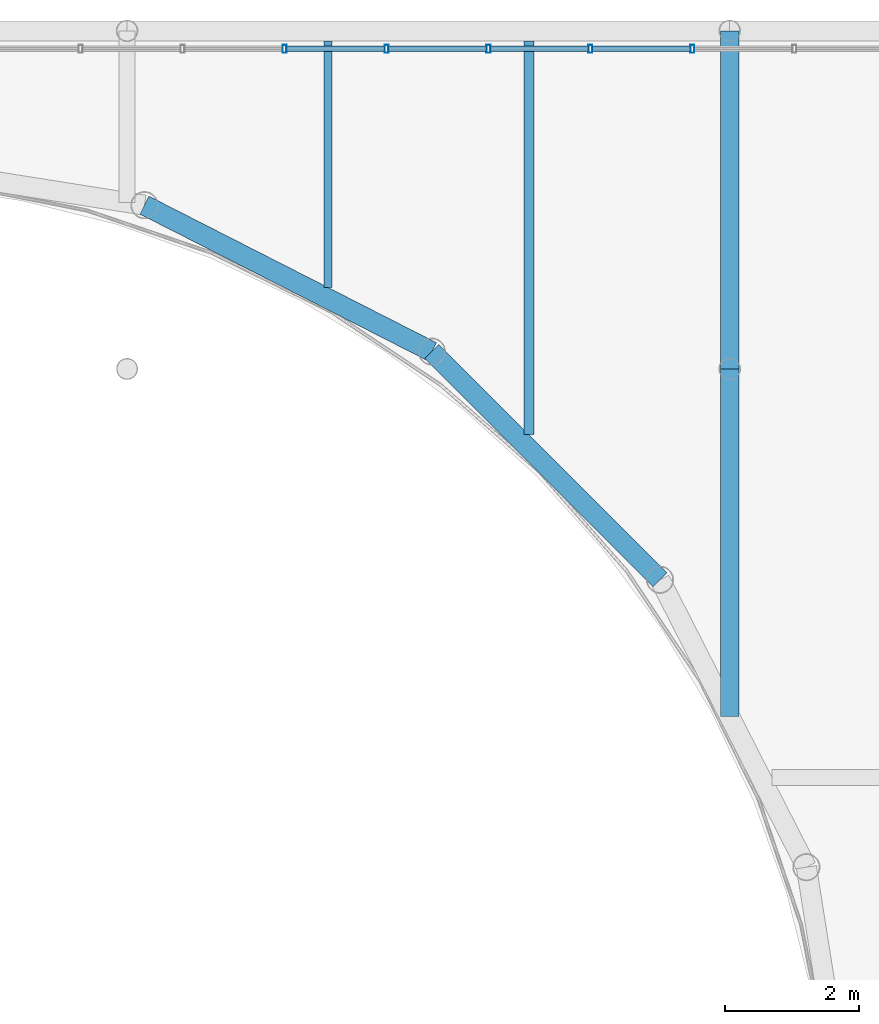
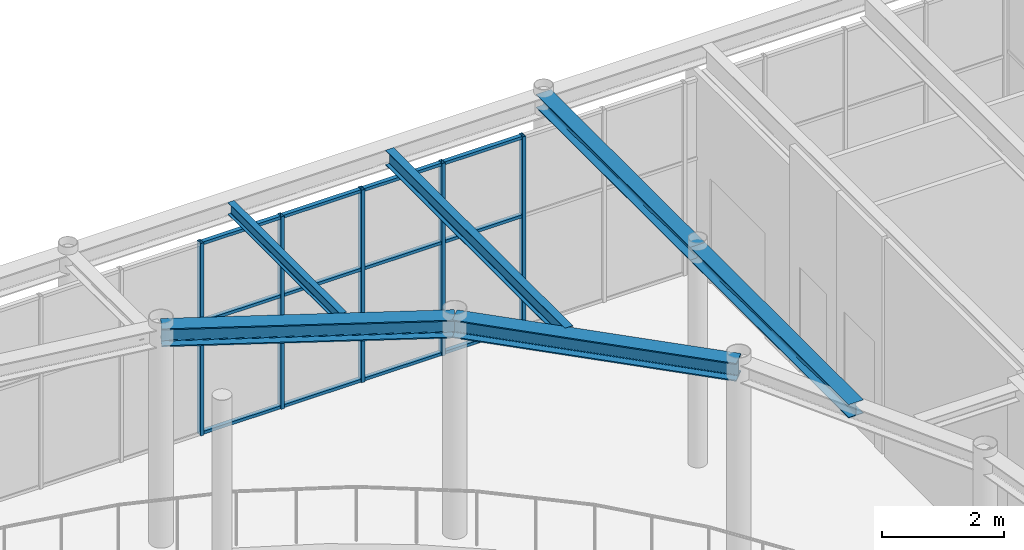
# One storey, part 40 of 70: 17 members, 6 beams, 1 element without a shape of its own.
"""IFC4 building model written with IfcOpenShell, lengths in metres."""

from ifc_helpers import new_model, si_unit, direction, frame, origin, origin_2d, place, context, subcontext, project, spatial, hollow_rectangle, i_section, extrude, material, layer, layer_set, material_profile, profile_set, type_object, element, aggregate, save


model = new_model("IFC4")

# Units and contexts
model_context = context("Model", 3, precision=1e-05, world=origin(), true_north=direction((0.0, 1.0)))
body_context = subcontext(model_context, "Body", "Model", "MODEL_VIEW")
ifc_project = project(units=[si_unit("LENGTHUNIT", "METRE"), si_unit("AREAUNIT", "SQUARE_METRE"), si_unit("VOLUMEUNIT", "CUBIC_METRE"), si_unit("PLANEANGLEUNIT", "RADIAN"), si_unit("MASSUNIT", "GRAM", prefix="KILO")], contexts=[model_context])

# Site, building, storey
site_placement = place(None, origin())
site = spatial("IfcSite", under=ifc_project, at=site_placement, CompositionType="ELEMENT")
building_placement = place(site_placement, origin())
building = spatial("IfcBuilding", under=site, at=building_placement, Name="Kallimachos Central Library", CompositionType="ELEMENT")
storey_placement = place(building_placement, frame((0.0, 0.0, 18.89990234375)))
storey = spatial("IfcBuildingStorey", under=building, at=storey_placement, Name="L04", CompositionType="ELEMENT", Elevation=18.89990234375)

# Curtain wall, members
ifc_material_1 = material(Name="Anodised aluminium and laminated glass", Category="aluminium")
ifc_layer = layer(ifc_material_1, 0.159912109375)
ifc_layer_set = layer_set([ifc_layer], Name="Glass box curtain wall")
curtain_wall_type = type_object("IfcCurtainWallType", Name="Glass box curtain wall", PredefinedType="NOTDEFINED", material=ifc_layer_set)
curtain_wall_placement = place(storey_placement, origin())
curtain_wall = element("IfcCurtainWall", 1, at=curtain_wall_placement, inside=storey, type_object=curtain_wall_type, Name="Glass box curtain wall N L04", PredefinedType="NOTDEFINED")
ifc_material_2 = material(Name="Anodised aluminium", Category="aluminium")
ifc_material_profile_1 = material_profile(ifc_material_2, hollow_rectangle(XDim=0.06005859375, YDim=0.1201171875, WallThickness=0.00390625, at=origin_2d()), Name="ALU MULLION 60x120")
ifc_profile_set_1 = profile_set([ifc_material_profile_1], Name="Anodised aluminium")
member_type_1 = type_object("IfcMemberType", Name="Glass box mullion 60x120", PredefinedType="MULLION", material=ifc_profile_set_1)
member_1_placement = place(storey_placement, frame((94.852294921875, 121.3798828125, 0.0), z_axis=(0.0, 0.0, 1.0), x_axis=(1.0, 0.0, 0.0)))
member_1 = element("IfcMember", 2, at=member_1_placement, type_object=member_type_1, Name="CW34 mullion 20", PredefinedType="MULLION", context=body_context, shape_type="SweptSolid", body=[
    extrude(hollow_rectangle(XDim=0.06005859375, YDim=0.1201171875, WallThickness=0.00390625, at=origin_2d()), origin(), (0.0, 0.0, 1.0), 3.85009765625),
])
member_2_placement = place(storey_placement, frame((96.375244140625, 121.3798828125, 0.0), z_axis=(0.0, 0.0, 1.0), x_axis=(1.0, 0.0, 0.0)))
member_2 = element("IfcMember", 3, at=member_2_placement, type_object=member_type_1, Name="CW34 mullion 21", PredefinedType="MULLION", context=body_context, shape_type="SweptSolid", body=[
    extrude(hollow_rectangle(XDim=0.06005859375, YDim=0.1201171875, WallThickness=0.00390625, at=origin_2d()), origin(), (0.0, 0.0, 1.0), 3.85009765625),
])
member_3_placement = place(storey_placement, frame((97.89794921875, 121.3798828125, 0.0), z_axis=(0.0, 0.0, 1.0), x_axis=(1.0, 0.0, 0.0)))
member_3 = element("IfcMember", 4, at=member_3_placement, type_object=member_type_1, Name="CW34 mullion 22", PredefinedType="MULLION", context=body_context, shape_type="SweptSolid", body=[
    extrude(hollow_rectangle(XDim=0.06005859375, YDim=0.1201171875, WallThickness=0.00390625, at=origin_2d()), origin(), (0.0, 0.0, 1.0), 3.85009765625),
])
member_4_placement = place(storey_placement, frame((99.420654296875, 121.3798828125, 0.0), z_axis=(0.0, 0.0, 1.0), x_axis=(1.0, 0.0, 0.0)))
member_4 = element("IfcMember", 5, at=member_4_placement, type_object=member_type_1, Name="CW34 mullion 23", PredefinedType="MULLION", context=body_context, shape_type="SweptSolid", body=[
    extrude(hollow_rectangle(XDim=0.06005859375, YDim=0.1201171875, WallThickness=0.00390625, at=origin_2d()), origin(), (0.0, 0.0, 1.0), 3.85009765625),
])
member_5_placement = place(storey_placement, frame((100.943359375, 121.3798828125, 0.0), z_axis=(0.0, 0.0, 1.0), x_axis=(1.0, 0.0, 0.0)))
member_5 = element("IfcMember", 6, at=member_5_placement, type_object=member_type_1, Name="CW34 mullion 24", PredefinedType="MULLION", context=body_context, shape_type="SweptSolid", body=[
    extrude(hollow_rectangle(XDim=0.06005859375, YDim=0.1201171875, WallThickness=0.00390625, at=origin_2d()), origin(), (0.0, 0.0, 1.0), 3.85009765625),
])
ifc_material_3 = material(Name="Anodised aluminium", Category="aluminium")
ifc_material_profile_2 = material_profile(ifc_material_3, hollow_rectangle(XDim=0.06005859375, YDim=0.080078125, WallThickness=0.00390625, at=origin_2d()), Name="ALU TRANSOM 60x80")
ifc_profile_set_2 = profile_set([ifc_material_profile_2], Name="Anodised aluminium")
member_type_2 = type_object("IfcMemberType", Name="Glass box transom 60x80", PredefinedType="USERDEFINED", material=ifc_profile_set_2)
member_6_placement = place(storey_placement, frame((94.88232421875, 121.3798828125, 0.030029296875), z_axis=(1.0, 0.0, 0.0), x_axis=(0.0, 0.0, 1.0)))
member_6 = element("IfcMember", 7, at=member_6_placement, type_object=member_type_2, Name="CW34 transom 20.1", ObjectType="TRANSOM", PredefinedType="USERDEFINED", context=body_context, shape_type="SweptSolid", body=[
    extrude(hollow_rectangle(XDim=0.06005859375, YDim=0.080078125, WallThickness=0.00390625, at=origin_2d()), origin(), (0.0, 0.0, 1.0), 1.462890625),
])
member_7_placement = place(storey_placement, frame((94.88232421875, 121.3798828125, 2.25), z_axis=(1.0, 0.0, 0.0), x_axis=(0.0, 0.0, 1.0)))
member_7 = element("IfcMember", 8, at=member_7_placement, type_object=member_type_2, Name="CW34 transom 20.2", ObjectType="TRANSOM", PredefinedType="USERDEFINED", context=body_context, shape_type="SweptSolid", body=[
    extrude(hollow_rectangle(XDim=0.06005859375, YDim=0.080078125, WallThickness=0.00390625, at=origin_2d()), origin(), (0.0, 0.0, 1.0), 1.462890625),
])
member_8_placement = place(storey_placement, frame((94.88232421875, 121.3798828125, 3.820068359375), z_axis=(1.0, 0.0, 0.0), x_axis=(0.0, 0.0, 1.0)))
member_8 = element("IfcMember", 9, at=member_8_placement, type_object=member_type_2, Name="CW34 transom 20.3", ObjectType="TRANSOM", PredefinedType="USERDEFINED", context=body_context, shape_type="SweptSolid", body=[
    extrude(hollow_rectangle(XDim=0.06005859375, YDim=0.080078125, WallThickness=0.00390625, at=origin_2d()), origin(), (0.0, 0.0, 1.0), 1.462890625),
])
member_9_placement = place(storey_placement, frame((96.4052734375, 121.3798828125, 0.030029296875), z_axis=(1.0, 0.0, 0.0), x_axis=(0.0, 0.0, 1.0)))
member_9 = element("IfcMember", 10, at=member_9_placement, type_object=member_type_2, Name="CW34 transom 21.1", ObjectType="TRANSOM", PredefinedType="USERDEFINED", context=body_context, shape_type="SweptSolid", body=[
    extrude(hollow_rectangle(XDim=0.06005859375, YDim=0.080078125, WallThickness=0.00390625, at=origin_2d()), origin(), (0.0, 0.0, 1.0), 1.462646484375),
])
member_10_placement = place(storey_placement, frame((96.4052734375, 121.3798828125, 2.25), z_axis=(1.0, 0.0, 0.0), x_axis=(0.0, 0.0, 1.0)))
member_10 = element("IfcMember", 11, at=member_10_placement, type_object=member_type_2, Name="CW34 transom 21.2", ObjectType="TRANSOM", PredefinedType="USERDEFINED", context=body_context, shape_type="SweptSolid", body=[
    extrude(hollow_rectangle(XDim=0.06005859375, YDim=0.080078125, WallThickness=0.00390625, at=origin_2d()), origin(), (0.0, 0.0, 1.0), 1.462646484375),
])
member_11_placement = place(storey_placement, frame((96.4052734375, 121.3798828125, 3.820068359375), z_axis=(1.0, 0.0, 0.0), x_axis=(0.0, 0.0, 1.0)))
member_11 = element("IfcMember", 12, at=member_11_placement, type_object=member_type_2, Name="CW34 transom 21.3", ObjectType="TRANSOM", PredefinedType="USERDEFINED", context=body_context, shape_type="SweptSolid", body=[
    extrude(hollow_rectangle(XDim=0.06005859375, YDim=0.080078125, WallThickness=0.00390625, at=origin_2d()), origin(), (0.0, 0.0, 1.0), 1.462646484375),
])
member_12_placement = place(storey_placement, frame((97.927978515625, 121.3798828125, 0.030029296875), z_axis=(1.0, 0.0, 0.0), x_axis=(0.0, 0.0, 1.0)))
member_12 = element("IfcMember", 13, at=member_12_placement, type_object=member_type_2, Name="CW34 transom 22.1", ObjectType="TRANSOM", PredefinedType="USERDEFINED", context=body_context, shape_type="SweptSolid", body=[
    extrude(hollow_rectangle(XDim=0.06005859375, YDim=0.080078125, WallThickness=0.00390625, at=origin_2d()), origin(), (0.0, 0.0, 1.0), 1.462646484375),
])
member_13_placement = place(storey_placement, frame((97.927978515625, 121.3798828125, 2.25), z_axis=(1.0, 0.0, 0.0), x_axis=(0.0, 0.0, 1.0)))
member_13 = element("IfcMember", 14, at=member_13_placement, type_object=member_type_2, Name="CW34 transom 22.2", ObjectType="TRANSOM", PredefinedType="USERDEFINED", context=body_context, shape_type="SweptSolid", body=[
    extrude(hollow_rectangle(XDim=0.06005859375, YDim=0.080078125, WallThickness=0.00390625, at=origin_2d()), origin(), (0.0, 0.0, 1.0), 1.462646484375),
])
member_14_placement = place(storey_placement, frame((97.927978515625, 121.3798828125, 3.820068359375), z_axis=(1.0, 0.0, 0.0), x_axis=(0.0, 0.0, 1.0)))
member_14 = element("IfcMember", 15, at=member_14_placement, type_object=member_type_2, Name="CW34 transom 22.3", ObjectType="TRANSOM", PredefinedType="USERDEFINED", context=body_context, shape_type="SweptSolid", body=[
    extrude(hollow_rectangle(XDim=0.06005859375, YDim=0.080078125, WallThickness=0.00390625, at=origin_2d()), origin(), (0.0, 0.0, 1.0), 1.462646484375),
])
member_15_placement = place(storey_placement, frame((99.45068359375, 121.3798828125, 0.030029296875), z_axis=(1.0, 0.0, 0.0), x_axis=(0.0, 0.0, 1.0)))
member_15 = element("IfcMember", 16, at=member_15_placement, type_object=member_type_2, Name="CW34 transom 23.1", ObjectType="TRANSOM", PredefinedType="USERDEFINED", context=body_context, shape_type="SweptSolid", body=[
    extrude(hollow_rectangle(XDim=0.06005859375, YDim=0.080078125, WallThickness=0.00390625, at=origin_2d()), origin(), (0.0, 0.0, 1.0), 1.462646484375),
])
member_16_placement = place(storey_placement, frame((99.45068359375, 121.3798828125, 2.25), z_axis=(1.0, 0.0, 0.0), x_axis=(0.0, 0.0, 1.0)))
member_16 = element("IfcMember", 17, at=member_16_placement, type_object=member_type_2, Name="CW34 transom 23.2", ObjectType="TRANSOM", PredefinedType="USERDEFINED", context=body_context, shape_type="SweptSolid", body=[
    extrude(hollow_rectangle(XDim=0.06005859375, YDim=0.080078125, WallThickness=0.00390625, at=origin_2d()), origin(), (0.0, 0.0, 1.0), 1.462646484375),
])
member_17_placement = place(storey_placement, frame((99.45068359375, 121.3798828125, 3.820068359375), z_axis=(1.0, 0.0, 0.0), x_axis=(0.0, 0.0, 1.0)))
member_17 = element("IfcMember", 18, at=member_17_placement, type_object=member_type_2, Name="CW34 transom 23.3", ObjectType="TRANSOM", PredefinedType="USERDEFINED", context=body_context, shape_type="SweptSolid", body=[
    extrude(hollow_rectangle(XDim=0.06005859375, YDim=0.080078125, WallThickness=0.00390625, at=origin_2d()), origin(), (0.0, 0.0, 1.0), 1.462646484375),
])
aggregate(curtain_wall, [member_1, member_2, member_3, member_4, member_5, member_6, member_7, member_8, member_9, member_10, member_11, member_12, member_13, member_14, member_15, member_16, member_17])

# Beams
ifc_material_4 = material(Name="Steel S355J2", Category="steel")
ifc_material_profile_3 = material_profile(ifc_material_4, i_section(OverallWidth=0.280029296875, OverallDepth=0.27001953125, WebThickness=0.008056640625, FlangeThickness=0.012939453125, FilletRadius=0.02392578125, at=origin_2d()), Name="HEA 280")
ifc_profile_set_3 = profile_set([ifc_material_profile_3], Name="Steel S355J2")
beam_type_1 = type_object("IfcBeamType", Name="HEA 280 beam", PredefinedType="BEAM", material=ifc_profile_set_3)
beam_1_placement = place(storey_placement, frame((101.5, 111.40869140625, 4.215087890625), z_axis=(0.0, 1.0, 0.0), x_axis=(-1.0, 0.0, 0.0)))
element("IfcBeam", 19, at=beam_1_placement, inside=storey, type_object=beam_type_1, Name="V1-BEM-L04-033", PredefinedType="BEAM", context=body_context, shape_type="SweptSolid", body=[
    extrude(i_section(OverallWidth=0.280029296875, OverallDepth=0.27001953125, WebThickness=0.008056640625, FlangeThickness=0.012939453125, FilletRadius=0.02392578125, at=origin_2d()), origin(), (0.0, 0.0, 1.0), 5.19140625),
])
beam_2_placement = place(storey_placement, frame((101.5, 116.60009765625, 4.215087890625), z_axis=(0.0, 1.0, 0.0), x_axis=(-1.0, 0.0, 0.0)))
element("IfcBeam", 20, at=beam_2_placement, inside=storey, type_object=beam_type_1, Name="V1-BEM-L04-034", PredefinedType="BEAM", context=body_context, shape_type="SweptSolid", body=[
    extrude(i_section(OverallWidth=0.280029296875, OverallDepth=0.27001953125, WebThickness=0.008056640625, FlangeThickness=0.012939453125, FilletRadius=0.02392578125, at=origin_2d()), origin(), (0.0, 0.0, 1.0), 5.0498046875),
])
ifc_material_5 = material(Name="Steel S355J2", Category="steel")
ifc_material_profile_4 = material_profile(ifc_material_5, i_section(OverallWidth=0.300048828125, OverallDepth=0.360107421875, WebThickness=0.012451171875, FlangeThickness=0.0224609375, FilletRadius=0.027099609375, at=origin_2d()), Name="HEB 360")
ifc_profile_set_4 = profile_set([ifc_material_profile_4], Name="Steel S355J2")
beam_type_2 = type_object("IfcBeamType", Name="HEB 360 beam", PredefinedType="BEAM", material=ifc_profile_set_4)
beam_3_placement = place(storey_placement, frame((100.458984375, 113.451904296875, 4.170166015625), z_axis=(-0.707106781187, 0.707106781187, 0.0), x_axis=(-0.707106781187, -0.707106781187, 0.0)))
element("IfcBeam", 21, at=beam_3_placement, inside=storey, type_object=beam_type_2, Name="V1-BEM-L04-003", PredefinedType="BEAM", context=body_context, shape_type="SweptSolid", body=[
    extrude(i_section(OverallWidth=0.300048828125, OverallDepth=0.360107421875, WebThickness=0.012451171875, FlangeThickness=0.0224609375, FilletRadius=0.027099609375, at=origin_2d()), origin(), (0.0, 0.0, 1.0), 4.818115234375),
])
beam_4_placement = place(storey_placement, frame((97.052001953125, 116.85888671875, 4.170166015625), z_axis=(-0.891006627269, 0.453990297432, 0.0), x_axis=(-0.453990297432, -0.891006627269, 0.0)))
element("IfcBeam", 22, at=beam_4_placement, inside=storey, type_object=beam_type_2, Name="V1-BEM-L04-004", PredefinedType="BEAM", context=body_context, shape_type="SweptSolid", body=[
    extrude(i_section(OverallWidth=0.300048828125, OverallDepth=0.360107421875, WebThickness=0.012451171875, FlangeThickness=0.0224609375, FilletRadius=0.027099609375, at=origin_2d()), origin(), (0.0, 0.0, 1.0), 4.818359375),
])
ifc_material_6 = material(Name="Steel S355J2", Category="steel")
ifc_material_profile_5 = material_profile(ifc_material_6, i_section(OverallWidth=0.1201171875, OverallDepth=0.239990234375, WebThickness=0.006103515625, FlangeThickness=0.009765625, FilletRadius=0.014892578125, at=origin_2d()), Name="IPE 240")
ifc_profile_set_5 = profile_set([ifc_material_profile_5], Name="Steel S355J2")
beam_type_3 = type_object("IfcBeamType", Name="IPE 240 beam", PredefinedType="BEAM", material=ifc_profile_set_5)
beam_5_placement = place(storey_placement, frame((95.5, 117.818115234375, 4.22998046875), z_axis=(0.0, 1.0, 0.0), x_axis=(-1.0, 0.0, 0.0)))
element("IfcBeam", 23, at=beam_5_placement, inside=storey, type_object=beam_type_3, Name="V1-BEM-L04-062", PredefinedType="BEAM", context=body_context, shape_type="SweptSolid", body=[
    extrude(i_section(OverallWidth=0.1201171875, OverallDepth=0.239990234375, WebThickness=0.006103515625, FlangeThickness=0.009765625, FilletRadius=0.014892578125, at=origin_2d()), origin(), (0.0, 0.0, 1.0), 3.681884765625),
])
ifc_material_7 = material(Name="Steel S355J2", Category="steel")
ifc_material_profile_6 = material_profile(ifc_material_7, i_section(OverallWidth=0.14990234375, OverallDepth=0.300048828125, WebThickness=0.007080078125, FlangeThickness=0.0107421875, FilletRadius=0.014892578125, at=origin_2d()), Name="IPE 300")
ifc_profile_set_6 = profile_set([ifc_material_profile_6], Name="Steel S355J2")
beam_type_4 = type_object("IfcBeamType", Name="IPE 300 beam", PredefinedType="BEAM", material=ifc_profile_set_6)
beam_6_placement = place(storey_placement, frame((98.5, 115.622802734375, 4.2001953125), z_axis=(0.0, 1.0, 0.0), x_axis=(-1.0, 0.0, 0.0)))
element("IfcBeam", 24, at=beam_6_placement, inside=storey, type_object=beam_type_4, Name="V1-BEM-L04-064", PredefinedType="BEAM", context=body_context, shape_type="SweptSolid", body=[
    extrude(i_section(OverallWidth=0.14990234375, OverallDepth=0.300048828125, WebThickness=0.007080078125, FlangeThickness=0.0107421875, FilletRadius=0.014892578125, at=origin_2d()), origin(), (0.0, 0.0, 1.0), 5.877197265625),
])

save(model, "model.ifc")
